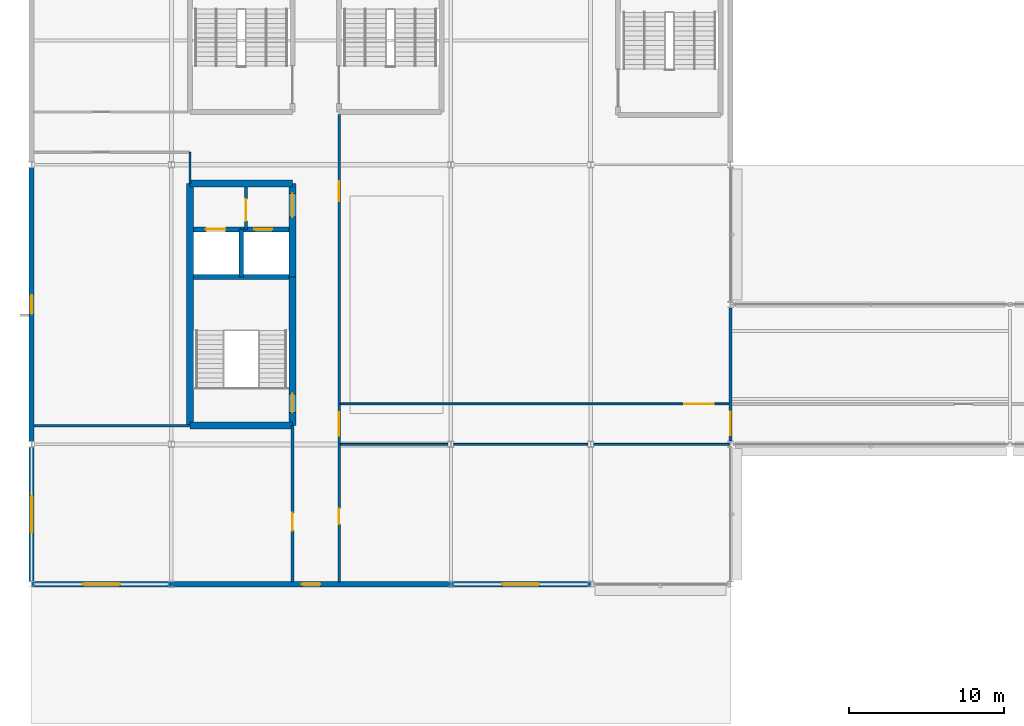
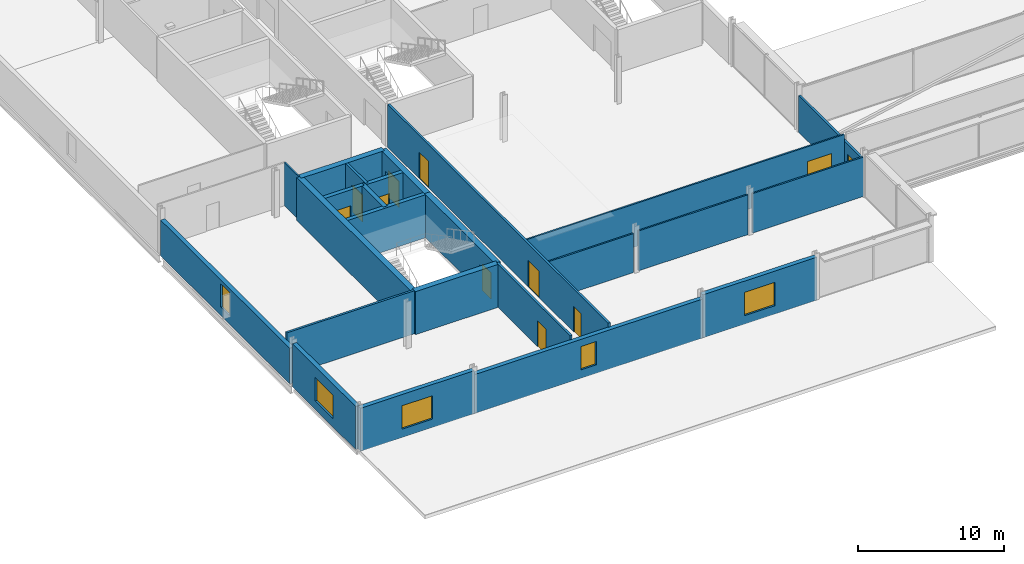
# One storey, part 60 of 105: 24 walls, 11 doors, 5 windows, 16 openings.
"""IFC4 building model written with IfcOpenShell, lengths in metres."""

from ifc_helpers import new_model, si_unit, direction, frame, frame_2d, origin, place, context, subcontext, project, spatial, rectangle, extrude, material, layer, layer_set, type_object, element, fill, save


model = new_model("IFC4")

# Units and contexts
model_context = context("Model", 3, precision=1e-05, world=origin(), true_north=direction((0.0, 1.0)))
body_context = subcontext(model_context, "Body", "Model", "MODEL_VIEW")
ifc_project = project(units=[si_unit("LENGTHUNIT", "METRE"), si_unit("AREAUNIT", "SQUARE_METRE"), si_unit("VOLUMEUNIT", "CUBIC_METRE"), si_unit("PLANEANGLEUNIT", "RADIAN"), si_unit("MASSUNIT", "GRAM", prefix="KILO")], contexts=[model_context])

# Site, building, storey
site_placement = place(None, origin())
site = spatial("IfcSite", under=ifc_project, at=site_placement, CompositionType="ELEMENT")
building_placement = place(site_placement, origin())
building = spatial("IfcBuilding", under=site, at=building_placement, Name="Kisiwana Market Hall", CompositionType="ELEMENT")
storey_placement = place(building_placement, frame((0.0, 0.0, 21.60009765625)))
storey = spatial("IfcBuildingStorey", under=building, at=storey_placement, Name="L04", CompositionType="ELEMENT", Elevation=21.60009765625)

# Wall, opening, door
ifc_material_1 = material(Name="Masonry blockwork", Category="masonry")
ifc_layer_1 = layer(ifc_material_1, 0.199951171875, Name="Plastered fire compartment block wall")
ifc_layer_set_1 = layer_set([ifc_layer_1], Name="WL-COMP-200")
wall_type_1 = type_object("IfcWallType", Name="WL-COMP-200", PredefinedType="PARTITIONING", material=ifc_layer_set_1)
wall_1_placement = place(storey_placement, frame((13.800048828125, 31.844970703125, 0.0), z_axis=(0.0, 0.0, 1.0), x_axis=(0.0, 1.0, 0.0)))
wall_1 = element("IfcWall", 1, at=wall_1_placement, inside=storey, type_object=wall_type_1, Name="Core W2 firefighting lobby wall W-1638", PredefinedType="PARTITIONING", context=body_context, shape_type="SweptSolid", body=[
    extrude(rectangle(XDim=2.72998046875, YDim=0.199951171875, at=frame_2d((1.364990234375, 0.0))), origin(), (0.0, 0.0, 1.0), 3.5849609375),
])
opening_1_placement = place(wall_1_placement, frame((0.550048828125, 0.0, 0.0)))
opening_1 = element("IfcOpeningElement", 2, at=opening_1_placement, cuts=wall_1, Name="Opening DR-L04-003", PredefinedType="OPENING", context=body_context, shape_type="SweptSolid", body=[
    extrude(rectangle(XDim=1.39990234375, YDim=2.25, at=frame_2d((0.699951171875, 1.125))), frame((0.0, 0.11181640625, 0.0), z_axis=(0.0, -1.0, 0.0), x_axis=(1.0, 0.0, 0.0)), (0.0, 0.0, 1.0), 0.223876953125),
])
ifc_material_2 = material(Name="Steel S275", Category="steel")
door_type_1 = type_object("IfcDoorType", Name="DR-FFLOB-FD120-1400", OperationType="DOUBLE_DOOR_SINGLE_SWING", PredefinedType="DOOR", material=ifc_material_2)
door_1_placement = place(opening_1_placement, frame((1.39990234375, 0.0, 0.0), z_axis=(0.0, 0.0, 1.0), x_axis=(-1.0, 0.0, 0.0)))
door_1 = element("IfcDoor", 3, at=door_1_placement, inside=storey, type_object=door_type_1, Name="Firefighting Lift Lobby W2 Door (L04)", OperationType="DOUBLE_DOOR_SINGLE_SWING", OverallHeight=2.25, OverallWidth=1.39990234375, PredefinedType="DOOR", context=body_context, shape_type="SweptSolid", body=[
    extrude(rectangle(XDim=1.39990234375, YDim=2.25, at=frame_2d((0.699951171875, 1.125))), frame((0.0, 0.02490234375, 0.0), z_axis=(0.0, -1.0, 0.0), x_axis=(1.0, 0.0, 0.0)), (0.0, 0.0, 1.0), 0.050048828125),
])
fill(opening_1, door_1)

# Walls
ifc_material_3 = material(Name="Concrete C40/50", Category="concrete")
ifc_layer_2 = layer(ifc_material_3, 0.320068359375, Name="Reinforced concrete shaft wall")
ifc_layer_set_2 = layer_set([ifc_layer_2], Name="WL-CORE-320")
wall_type_2 = type_object("IfcWallType", Name="WL-CORE-320", PredefinedType="SHEAR", material=ifc_layer_set_2)
wall_2_placement = place(storey_placement, frame((10.425048828125, 28.784912109375, 0.0), z_axis=(0.0, 0.0, 1.0), x_axis=(1.0, 0.0, 0.0)))
element("IfcWall", 4, at=wall_2_placement, inside=storey, type_object=wall_type_2, Name="Core W2 shaft back shear wall W-1519", PredefinedType="SHEAR", context=body_context, shape_type="SweptSolid", body=[
    extrude(rectangle(XDim=6.14990234375, YDim=0.320068359375, at=frame_2d((3.074951171875, 0.0))), origin(), (0.0, 0.0, 1.0), 3.5849609375),
])
wall_3_placement = place(storey_placement, frame((13.5, 28.784912109375, 0.0), z_axis=(0.0, 0.0, 1.0), x_axis=(0.0, 1.0, 0.0)))
element("IfcWall", 5, at=wall_3_placement, inside=storey, type_object=wall_type_2, Name="Core W2 inter-shaft shear wall W-1520", PredefinedType="SHEAR", context=body_context, shape_type="SweptSolid", body=[
    extrude(rectangle(XDim=3.06005859375, YDim=0.320068359375, at=frame_2d((1.530029296875, 0.0))), origin(), (0.0, 0.0, 1.0), 3.5849609375),
])

# Wall, opening, door
wall_4_placement = place(storey_placement, frame((10.425048828125, 31.844970703125, 0.0), z_axis=(0.0, 0.0, 1.0), x_axis=(1.0, 0.0, 0.0)))
wall_4 = element("IfcWall", 6, at=wall_4_placement, inside=storey, type_object=wall_type_2, Name="Core W2 west lift front wall W-1521", PredefinedType="SHEAR", context=body_context, shape_type="SweptSolid", body=[
    extrude(rectangle(XDim=3.074951171875, YDim=0.320068359375, at=frame_2d((1.53759765625, 0.0))), origin(), (0.0, 0.0, 1.0), 3.5849609375),
])
opening_2_placement = place(wall_4_placement, frame((0.800048828125, 0.0, 0.0)))
opening_2 = element("IfcOpeningElement", 7, at=opening_2_placement, cuts=wall_4, Name="Opening LD-L04-001", PredefinedType="OPENING", context=body_context, shape_type="SweptSolid", body=[
    extrude(rectangle(XDim=1.25, YDim=2.25, at=frame_2d((0.625, 1.125))), frame((0.0, 0.171875, 0.0), z_axis=(0.0, -1.0, 0.0), x_axis=(1.0, 0.0, 0.0)), (0.0, 0.0, 1.0), 0.343994140625),
])
ifc_material_4 = material(Name="Steel S275", Category="steel")
door_type_2 = type_object("IfcDoorType", Name="DR-LIFT-FFL-1250", OperationType="DOUBLE_DOOR_SLIDING", PredefinedType="DOOR", material=ifc_material_4)
door_2_placement = place(opening_2_placement, origin())
door_2 = element("IfcDoor", 8, at=door_2_placement, inside=storey, type_object=door_type_2, Name="Lift Landing Door FFL-01 (L04)", OperationType="DOUBLE_DOOR_SLIDING", OverallHeight=2.25, OverallWidth=1.25, PredefinedType="DOOR", context=body_context, shape_type="SweptSolid", body=[
    extrude(rectangle(XDim=1.25, YDim=2.25, at=frame_2d((0.625, 1.125))), frame((0.0, 0.02490234375, 0.0), z_axis=(0.0, -1.0, 0.0), x_axis=(1.0, 0.0, 0.0)), (0.0, 0.0, 1.0), 0.050048828125),
])
fill(opening_2, door_2)

wall_5_placement = place(storey_placement, frame((13.5, 31.844970703125, 0.0), z_axis=(0.0, 0.0, 1.0), x_axis=(1.0, 0.0, 0.0)))
wall_5 = element("IfcWall", 9, at=wall_5_placement, inside=storey, type_object=wall_type_2, Name="Core W2 east lift front wall W-1522", PredefinedType="SHEAR", context=body_context, shape_type="SweptSolid", body=[
    extrude(rectangle(XDim=3.074951171875, YDim=0.320068359375, at=frame_2d((1.53759765625, 0.0))), origin(), (0.0, 0.0, 1.0), 3.5849609375),
])
opening_3_placement = place(wall_5_placement, frame((0.85009765625, 0.0, 0.0)))
opening_3 = element("IfcOpeningElement", 10, at=opening_3_placement, cuts=wall_5, Name="Opening LD-L04-002", PredefinedType="OPENING", context=body_context, shape_type="SweptSolid", body=[
    extrude(rectangle(XDim=1.14990234375, YDim=2.199951171875, at=frame_2d((0.574951171875, 1.10009765625))), frame((0.0, 0.171875, 0.0), z_axis=(0.0, -1.0, 0.0), x_axis=(1.0, 0.0, 0.0)), (0.0, 0.0, 1.0), 0.343994140625),
])
ifc_material_5 = material(Name="Steel S275", Category="steel")
door_type_3 = type_object("IfcDoorType", Name="DR-LIFT-PAX-1150", OperationType="DOUBLE_DOOR_SLIDING", PredefinedType="DOOR", material=ifc_material_5)
door_3_placement = place(opening_3_placement, origin())
door_3 = element("IfcDoor", 11, at=door_3_placement, inside=storey, type_object=door_type_3, Name="Lift Landing Door LP-01 (L04)", OperationType="DOUBLE_DOOR_SLIDING", OverallHeight=2.199951171875, OverallWidth=1.14990234375, PredefinedType="DOOR", context=body_context, shape_type="SweptSolid", body=[
    extrude(rectangle(XDim=1.14990234375, YDim=2.199951171875, at=frame_2d((0.574951171875, 1.10009765625))), frame((0.0, 0.02490234375, 0.0), z_axis=(0.0, -1.0, 0.0), x_axis=(1.0, 0.0, 0.0)), (0.0, 0.0, 1.0), 0.050048828125),
])
fill(opening_3, door_3)

# Walls
ifc_material_6 = material(Name="Concrete C40/50", Category="concrete")
ifc_layer_3 = layer(ifc_material_6, 0.449951171875, Name="Reinforced concrete core wall")
ifc_layer_set_3 = layer_set([ifc_layer_3], Name="WL-CORE-450")
wall_type_3 = type_object("IfcWallType", Name="WL-CORE-450", PredefinedType="SHEAR", material=ifc_layer_set_3)
for number, where, z_axis, x_axis, name in (
    (12, (10.199951171875, 19.199951171875, 0.0), (0.0, 0.0, 1.0), (1.0, 0.0, 0.0), "Core W2 south shear wall W-1514"),
    (13, (10.199951171875, 34.800048828125, 0.0), (0.0, 0.0, 1.0), (1.0, 0.0, 0.0), "Core W2 north shear wall W-1515"),
):
    element("IfcWall", number, at=place(storey_placement, frame(where, z_axis=z_axis, x_axis=x_axis)), inside=storey, type_object=wall_type_3, Name=name, PredefinedType="SHEAR", context=body_context, shape_type="SweptSolid", body=[
        extrude(rectangle(XDim=6.60009765625, YDim=0.449951171875, at=frame_2d((3.300048828125, 0.0))), origin(), (0.0, 0.0, 1.0), 3.5849609375),
    ])
wall_6_placement = place(storey_placement, frame((10.199951171875, 19.199951171875, 0.0), z_axis=(0.0, 0.0, 1.0), x_axis=(0.0, 1.0, 0.0)))
element("IfcWall", 14, at=wall_6_placement, inside=storey, type_object=wall_type_3, Name="Core W2 outer shear wall W-1516", PredefinedType="SHEAR", context=body_context, shape_type="SweptSolid", body=[
    extrude(rectangle(XDim=15.60009765625, YDim=0.449951171875, at=frame_2d((7.800048828125, 0.0))), origin(), (0.0, 0.0, 1.0), 3.5849609375),
])

# Wall, opening, door
wall_7_placement = place(storey_placement, frame((16.800048828125, 19.199951171875, 0.0), z_axis=(0.0, 0.0, 1.0), x_axis=(0.0, 1.0, 0.0)))
wall_7 = element("IfcWall", 15, at=wall_7_placement, inside=storey, type_object=wall_type_3, Name="Core W2 stair corridor shear wall W-1517", PredefinedType="SHEAR", context=body_context, shape_type="SweptSolid", body=[
    extrude(rectangle(XDim=9.5849609375, YDim=0.449951171875, at=frame_2d((4.79248046875, 0.0))), origin(), (0.0, 0.0, 1.0), 3.5849609375),
])
opening_4_placement = place(wall_7_placement, frame((0.85009765625, 0.0, 0.0)))
opening_4 = element("IfcOpeningElement", 16, at=opening_4_placement, cuts=wall_7, Name="Opening DR-L04-001", PredefinedType="OPENING", context=body_context, shape_type="SweptSolid", body=[
    extrude(rectangle(XDim=1.199951171875, YDim=2.199951171875, at=frame_2d((0.60009765625, 1.10009765625))), frame((0.0, 0.23681640625, 0.0), z_axis=(0.0, -1.0, 0.0), x_axis=(1.0, 0.0, 0.0)), (0.0, 0.0, 1.0), 0.473876953125),
])
ifc_material_7 = material(Name="Steel S275", Category="steel")
door_type_4 = type_object("IfcDoorType", Name="DR-STAIR-FD120-1200", OperationType="NOTDEFINED", PredefinedType="DOOR", material=ifc_material_7)
door_4_placement = place(opening_4_placement, origin())
door_4 = element("IfcDoor", 17, at=door_4_placement, inside=storey, type_object=door_type_4, Name="Escape Stair W2 Fire Door (L04)", OperationType="SINGLE_SWING_LEFT", OverallHeight=2.199951171875, OverallWidth=1.199951171875, PredefinedType="DOOR", context=body_context, shape_type="SweptSolid", body=[
    extrude(rectangle(XDim=1.199951171875, YDim=2.199951171875, at=frame_2d((0.60009765625, 1.10009765625))), frame((0.0, 0.02490234375, 0.0), z_axis=(0.0, -1.0, 0.0), x_axis=(1.0, 0.0, 0.0)), (0.0, 0.0, 1.0), 0.050048828125),
])
fill(opening_4, door_4)

wall_8_placement = place(storey_placement, frame((16.800048828125, 28.784912109375, 0.0), z_axis=(0.0, 0.0, 1.0), x_axis=(0.0, 1.0, 0.0)))
wall_8 = element("IfcWall", 18, at=wall_8_placement, inside=storey, type_object=wall_type_3, Name="Core W2 lobby corridor shear wall W-1518", PredefinedType="SHEAR", context=body_context, shape_type="SweptSolid", body=[
    extrude(rectangle(XDim=6.01513671875, YDim=0.449951171875, at=frame_2d((3.007568359375, 0.0))), origin(), (0.0, 0.0, 1.0), 3.5849609375),
])
opening_5_placement = place(wall_8_placement, frame((3.85009765625, 0.0, 0.0)))
opening_5 = element("IfcOpeningElement", 19, at=opening_5_placement, cuts=wall_8, Name="Opening DR-L04-002", PredefinedType="OPENING", context=body_context, shape_type="SweptSolid", body=[
    extrude(rectangle(XDim=1.5, YDim=2.199951171875, at=frame_2d((0.75, 1.10009765625))), frame((0.0, 0.23681640625, 0.0), z_axis=(0.0, -1.0, 0.0), x_axis=(1.0, 0.0, 0.0)), (0.0, 0.0, 1.0), 0.473876953125),
])
ifc_material_8 = material(Name="Steel S275", Category="steel")
door_type_5 = type_object("IfcDoorType", Name="DR-CORR-FD60-1500", OperationType="DOUBLE_DOOR_SINGLE_SWING", PredefinedType="DOOR", material=ifc_material_8)
door_5_placement = place(opening_5_placement, frame((1.5, 0.0, 0.0), z_axis=(0.0, 0.0, 1.0), x_axis=(-1.0, 0.0, 0.0)))
door_5 = element("IfcDoor", 20, at=door_5_placement, inside=storey, type_object=door_type_5, Name="Passenger Lift Lobby W2 Smoke Door (L04)", OperationType="DOUBLE_DOOR_SINGLE_SWING", OverallHeight=2.199951171875, OverallWidth=1.5, PredefinedType="DOOR", context=body_context, shape_type="SweptSolid", body=[
    extrude(rectangle(XDim=1.5, YDim=2.199951171875, at=frame_2d((0.75, 1.10009765625))), frame((0.0, 0.02490234375, 0.0), z_axis=(0.0, -1.0, 0.0), x_axis=(1.0, 0.0, 0.0)), (0.0, 0.0, 1.0), 0.050048828125),
])
fill(opening_5, door_5)

# Wall
ifc_material_9 = material(Name="Masonry blockwork", Category="masonry")
ifc_layer_4 = layer(ifc_material_9, 0.169921875, Name="Protected corridor partition")
ifc_layer_set_4 = layer_set([ifc_layer_4], Name="WL-CORR-170")
wall_type_4 = type_object("IfcWallType", Name="WL-CORR-170", PredefinedType="PARTITIONING", material=ifc_layer_set_4)
wall_9_placement = place(storey_placement, frame((0.14501953125, 19.199951171875, 0.0), z_axis=(0.0, 0.0, 1.0), x_axis=(1.0, 0.0, 0.0)))
element("IfcWall", 21, at=wall_9_placement, inside=storey, type_object=wall_type_4, Name="Interior partition W-1648", PredefinedType="PARTITIONING", context=body_context, shape_type="SweptSolid", body=[
    extrude(rectangle(XDim=10.054931640625, YDim=0.169921875, at=frame_2d((5.02734375, 0.0))), origin(), (0.0, 0.0, 1.0), 3.5849609375),
])

# Wall, opening, door
wall_10_placement = place(storey_placement, frame((16.800048828125, 9.14501953125, 0.0), z_axis=(0.0, 0.0, 1.0), x_axis=(0.0, 1.0, 0.0)))
wall_10 = element("IfcWall", 22, at=wall_10_placement, inside=storey, type_object=wall_type_4, Name="Interior partition W-1654", PredefinedType="PARTITIONING", context=body_context, shape_type="SweptSolid", body=[
    extrude(rectangle(XDim=10.054931640625, YDim=0.169921875, at=frame_2d((5.02734375, 0.0))), origin(), (0.0, 0.0, 1.0), 3.5849609375),
])
opening_6_placement = place(wall_10_placement, frame((3.300048828125, 0.0, 0.0)))
opening_6 = element("IfcOpeningElement", 23, at=opening_6_placement, cuts=wall_10, Name="Opening DR-L04-033", PredefinedType="OPENING", context=body_context, shape_type="SweptSolid", body=[
    extrude(rectangle(XDim=1.14990234375, YDim=2.14990234375, at=frame_2d((0.574951171875, 1.074951171875))), frame((0.0, 0.096923828125, 0.0), z_axis=(0.0, -1.0, 0.0), x_axis=(1.0, 0.0, 0.0)), (0.0, 0.0, 1.0), 0.19384765625),
])
ifc_material_10 = material(Name="Aluminium alloy 6063-T6", Category="aluminium")
door_type_6 = type_object("IfcDoorType", Name="DR-MEET-1150", OperationType="NOTDEFINED", PredefinedType="DOOR", material=ifc_material_10)
door_6_placement = place(opening_6_placement, origin())
door_6 = element("IfcDoor", 24, at=door_6_placement, inside=storey, type_object=door_type_6, Name="L04 W Corner Office Suite South Door", OperationType="SINGLE_SWING_LEFT", OverallHeight=2.14990234375, OverallWidth=1.14990234375, PredefinedType="DOOR", context=body_context, shape_type="SweptSolid", body=[
    extrude(rectangle(XDim=1.14990234375, YDim=2.14990234375, at=frame_2d((0.574951171875, 1.074951171875))), frame((0.0, 0.02490234375, 0.0), z_axis=(0.0, -1.0, 0.0), x_axis=(1.0, 0.0, 0.0)), (0.0, 0.0, 1.0), 0.050048828125),
])
fill(opening_6, door_6)

# Wall, openings, doors
wall_11_placement = place(storey_placement, frame((19.800048828125, 9.14501953125, 0.0), z_axis=(0.0, 0.0, 1.0), x_axis=(0.0, 1.0, 0.0)))
wall_11 = element("IfcWall", 25, at=wall_11_placement, inside=storey, type_object=wall_type_4, Name="Interior partition W-1666", PredefinedType="PARTITIONING", context=body_context, shape_type="SweptSolid", body=[
    extrude(rectangle(XDim=30.094970703125, YDim=0.169921875, at=frame_2d((15.04736328125, 0.0))), origin(), (0.0, 0.0, 1.0), 3.5849609375),
])
opening_7_placement = place(wall_11_placement, frame((3.715087890625, 0.0, 0.0)))
opening_7 = element("IfcOpeningElement", 26, at=opening_7_placement, cuts=wall_11, Name="Opening DR-L04-037", PredefinedType="OPENING", context=body_context, shape_type="SweptSolid", body=[
    extrude(rectangle(XDim=1.0, YDim=2.14990234375, at=frame_2d((0.5, 1.074951171875))), frame((0.0, 0.096923828125, 0.0), z_axis=(0.0, -1.0, 0.0), x_axis=(1.0, 0.0, 0.0)), (0.0, 0.0, 1.0), 0.19384765625),
])
opening_8_placement = place(wall_11_placement, frame((9.405029296875, 0.0, 0.0)))
opening_8 = element("IfcOpeningElement", 27, at=opening_8_placement, cuts=wall_11, Name="Opening DR-L04-038", PredefinedType="OPENING", context=body_context, shape_type="SweptSolid", body=[
    extrude(rectangle(XDim=1.5, YDim=2.199951171875, at=frame_2d((0.75, 1.10009765625))), frame((0.0, 0.096923828125, 0.0), z_axis=(0.0, -1.0, 0.0), x_axis=(1.0, 0.0, 0.0)), (0.0, 0.0, 1.0), 0.19384765625),
])
opening_9_placement = place(wall_11_placement, frame((24.514892578125, 0.0, 0.0)))
opening_9 = element("IfcOpeningElement", 28, at=opening_9_placement, cuts=wall_11, Name="Opening DR-L04-039", PredefinedType="OPENING", context=body_context, shape_type="SweptSolid", body=[
    extrude(rectangle(XDim=1.280029296875, YDim=2.199951171875, at=frame_2d((0.64013671875, 1.10009765625))), frame((0.0, 0.096923828125, 0.0), z_axis=(0.0, -1.0, 0.0), x_axis=(1.0, 0.0, 0.0)), (0.0, 0.0, 1.0), 0.19384765625),
])
door_7_placement = place(opening_8_placement, origin())
door_7 = element("IfcDoor", 29, at=door_7_placement, inside=storey, type_object=door_type_5, Name="L04 W South Skybridge Link Corridor Door", OperationType="DOUBLE_DOOR_SINGLE_SWING", OverallHeight=2.199951171875, OverallWidth=1.5, PredefinedType="DOOR", context=body_context, shape_type="SweptSolid", body=[
    extrude(rectangle(XDim=1.5, YDim=2.199951171875, at=frame_2d((0.75, 1.10009765625))), frame((0.0, 0.02490234375, 0.0), z_axis=(0.0, -1.0, 0.0), x_axis=(1.0, 0.0, 0.0)), (0.0, 0.0, 1.0), 0.050048828125),
])
fill(opening_8, door_7)
ifc_material_11 = material(Name="Hardwood timber", Category="wood")
door_type_7 = type_object("IfcDoorType", Name="DR-MEET-1280", OperationType="NOTDEFINED", PredefinedType="DOOR", material=ifc_material_11)
door_8_placement = place(opening_9_placement, frame((1.280029296875, 0.0, 0.0), z_axis=(0.0, 0.0, 1.0), x_axis=(-1.0, 0.0, 0.0)))
door_8 = element("IfcDoor", 30, at=door_8_placement, inside=storey, type_object=door_type_7, Name="L04 W Meeting Room A2 Door", OperationType="SINGLE_SWING_LEFT", OverallHeight=2.199951171875, OverallWidth=1.280029296875, PredefinedType="DOOR", context=body_context, shape_type="SweptSolid", body=[
    extrude(rectangle(XDim=1.280029296875, YDim=2.199951171875, at=frame_2d((0.64013671875, 1.10009765625))), frame((0.0, 0.02490234375, 0.0), z_axis=(0.0, -1.0, 0.0), x_axis=(1.0, 0.0, 0.0)), (0.0, 0.0, 1.0), 0.050048828125),
])
fill(opening_9, door_8)
ifc_material_12 = material(Name="Aluminium alloy 6063-T6", Category="aluminium")
door_type_8 = type_object("IfcDoorType", Name="DR-OFF-1000", OperationType="NOTDEFINED", PredefinedType="DOOR", material=ifc_material_12)
door_9_placement = place(opening_7_placement, frame((1.0, 0.0, 0.0), z_axis=(0.0, 0.0, 1.0), x_axis=(-1.0, 0.0, 0.0)))
door_9 = element("IfcDoor", 31, at=door_9_placement, inside=storey, type_object=door_type_8, Name="L04 W Commercial Office A1 Door", OperationType="SINGLE_SWING_RIGHT", OverallHeight=2.14990234375, OverallWidth=1.0, PredefinedType="DOOR", context=body_context, shape_type="SweptSolid", body=[
    extrude(rectangle(XDim=1.0, YDim=2.14990234375, at=frame_2d((0.5, 1.074951171875))), frame((0.0, 0.02490234375, 0.0), z_axis=(0.0, -1.0, 0.0), x_axis=(1.0, 0.0, 0.0)), (0.0, 0.0, 1.0), 0.050048828125),
])
fill(opening_7, door_9)

# Wall, opening, door
wall_12_placement = place(storey_placement, frame((45.0, 18.219970703125, 0.0), z_axis=(0.0, 0.0, 1.0), x_axis=(0.0, 1.0, 0.0)))
wall_12 = element("IfcWall", 32, at=wall_12_placement, inside=storey, type_object=wall_type_4, Name="Interior partition W-1668", PredefinedType="PARTITIONING", context=body_context, shape_type="SweptSolid", body=[
    extrude(rectangle(XDim=8.56005859375, YDim=0.169921875, at=frame_2d((4.280029296875, 0.0))), origin(), (0.0, 0.0, 1.0), 3.0517578125),
])
opening_10_placement = place(wall_12_placement, frame((0.3798828125, 0.0, 0.0)))
opening_10 = element("IfcOpeningElement", 33, at=opening_10_placement, cuts=wall_12, Name="Opening DR-L04-044", PredefinedType="OPENING", context=body_context, shape_type="SweptSolid", body=[
    extrude(rectangle(XDim=1.5, YDim=2.199951171875, at=frame_2d((0.75, 1.10009765625))), frame((0.0, 0.096923828125, 0.0), z_axis=(0.0, -1.0, 0.0), x_axis=(1.0, 0.0, 0.0)), (0.0, 0.0, 1.0), 0.19384765625),
])
door_10_placement = place(opening_10_placement, origin())
door_10 = element("IfcDoor", 34, at=door_10_placement, inside=storey, type_object=door_type_5, Name="L04 W South Skybridge Spine Door", OperationType="DOUBLE_DOOR_SINGLE_SWING", OverallHeight=2.199951171875, OverallWidth=1.5, PredefinedType="DOOR", context=body_context, shape_type="SweptSolid", body=[
    extrude(rectangle(XDim=1.5, YDim=2.199951171875, at=frame_2d((0.75, 1.10009765625))), frame((0.0, 0.02490234375, 0.0), z_axis=(0.0, -1.0, 0.0), x_axis=(1.0, 0.0, 0.0)), (0.0, 0.0, 1.0), 0.050048828125),
])
fill(opening_10, door_10)

# Wall, opening, window
ifc_material_13 = material(Name="Concrete C40/50 precast", Category="concrete")
ifc_layer_5 = layer(ifc_material_13, 0.14990234375, Name="Precast architectural concrete spandrel")
ifc_material_14 = material(Name="Mineral wool insulation")
ifc_layer_6 = layer(ifc_material_14, 0.090087890625, Name="Rockwool thermal insulation")
ifc_material_15 = material(Name="Masonry blockwork", Category="masonry")
ifc_layer_7 = layer(ifc_material_15, 0.10009765625, Name="Inner masonry block leaf")
ifc_layer_set_5 = layer_set([ifc_layer_5, ifc_layer_6, ifc_layer_7], Name="WL-EXT-PREC-340")
wall_type_5 = type_object("IfcWallType", Name="WL-EXT-PREC-340", PredefinedType="STANDARD", material=ifc_layer_set_5)
wall_13_placement = place(storey_placement, frame((0.010009765625, 9.0, 0.0), z_axis=(0.0, 0.0, 1.0), x_axis=(1.0, 0.0, 0.0)))
wall_13 = element("IfcWall", 35, at=wall_13_placement, inside=storey, type_object=wall_type_5, Name="Exterior wall W-1614", PredefinedType="STANDARD", context=body_context, shape_type="SweptSolid", body=[
    extrude(rectangle(XDim=8.97998046875, YDim=0.340087890625, at=frame_2d((4.489990234375, 0.0))), origin(), (0.0, 0.0, 1.0), 3.5849609375),
])
opening_11_placement = place(wall_13_placement, frame((3.2900390625, 0.0, 0.699951171875)))
opening_11 = element("IfcOpeningElement", 36, at=opening_11_placement, cuts=wall_13, Name="Opening WN-27", PredefinedType="OPENING", context=body_context, shape_type="SweptSolid", body=[
    extrude(rectangle(XDim=2.39990234375, YDim=1.949951171875, at=frame_2d((1.199951171875, 0.97509765625))), frame((0.0, 0.18212890625, 0.0), z_axis=(0.0, -1.0, 0.0), x_axis=(1.0, 0.0, 0.0)), (0.0, 0.0, 1.0), 0.364013671875),
])
ifc_material_16 = material(Name="Double-glazed solar-control low-E IGU", Category="glass")
window_type_1 = type_object("IfcWindowType", Name="WN-OFFA-2400x1950", PartitioningType="SINGLE_PANEL", PredefinedType="WINDOW", material=ifc_material_16)
window_1_placement = place(opening_11_placement, origin())
window_1 = element("IfcWindow", 37, at=window_1_placement, inside=storey, type_object=window_type_1, Name="Exterior window WN-159", OverallHeight=1.949951171875, OverallWidth=2.39990234375, PartitioningType="SINGLE_PANEL", PredefinedType="WINDOW", context=body_context, shape_type="SweptSolid", body=[
    extrude(rectangle(XDim=2.39990234375, YDim=1.949951171875, at=frame_2d((1.199951171875, 0.97509765625))), frame((0.0, 0.030029296875, 0.0), z_axis=(0.0, -1.0, 0.0), x_axis=(1.0, 0.0, 0.0)), (0.0, 0.0, 1.0), 0.06005859375),
])
fill(opening_11, window_1)

wall_14_placement = place(storey_placement, frame((9.010009765625, 9.0, 0.0), z_axis=(0.0, 0.0, 1.0), x_axis=(1.0, 0.0, 0.0)))
wall_14 = element("IfcWall", 38, at=wall_14_placement, inside=storey, type_object=wall_type_5, Name="Exterior wall W-1615", PredefinedType="STANDARD", context=body_context, shape_type="SweptSolid", body=[
    extrude(rectangle(XDim=17.97998046875, YDim=0.340087890625, at=frame_2d((8.989990234375, 0.0))), origin(), (0.0, 0.0, 1.0), 3.2451171875),
])
opening_12_placement = place(wall_14_placement, frame((8.389892578125, 0.0, 0.699951171875)))
opening_12 = element("IfcOpeningElement", 39, at=opening_12_placement, cuts=wall_14, Name="Opening WN-15", PredefinedType="OPENING", context=body_context, shape_type="SweptSolid", body=[
    extrude(rectangle(XDim=1.199951171875, YDim=1.949951171875, at=frame_2d((0.60009765625, 0.97509765625))), frame((0.0, 0.18212890625, 0.0), z_axis=(0.0, -1.0, 0.0), x_axis=(1.0, 0.0, 0.0)), (0.0, 0.0, 1.0), 0.364013671875),
])
ifc_material_17 = material(Name="Double-glazed solar-control low-E IGU", Category="glass")
window_type_2 = type_object("IfcWindowType", Name="WN-OFFA-1200x1950", PartitioningType="SINGLE_PANEL", PredefinedType="WINDOW", material=ifc_material_17)
window_2_placement = place(opening_12_placement, origin())
window_2 = element("IfcWindow", 40, at=window_2_placement, inside=storey, type_object=window_type_2, Name="Exterior window WN-143", OverallHeight=1.949951171875, OverallWidth=1.199951171875, PartitioningType="SINGLE_PANEL", PredefinedType="WINDOW", context=body_context, shape_type="SweptSolid", body=[
    extrude(rectangle(XDim=1.199951171875, YDim=1.949951171875, at=frame_2d((0.60009765625, 0.97509765625))), frame((0.0, 0.030029296875, 0.0), z_axis=(0.0, -1.0, 0.0), x_axis=(1.0, 0.0, 0.0)), (0.0, 0.0, 1.0), 0.06005859375),
])
fill(opening_12, window_2)

wall_15_placement = place(storey_placement, frame((27.010009765625, 9.0, 0.0), z_axis=(0.0, 0.0, 1.0), x_axis=(1.0, 0.0, 0.0)))
wall_15 = element("IfcWall", 41, at=wall_15_placement, inside=storey, type_object=wall_type_5, Name="Exterior wall W-1616", PredefinedType="STANDARD", context=body_context, shape_type="SweptSolid", body=[
    extrude(rectangle(XDim=8.97998046875, YDim=0.340087890625, at=frame_2d((4.489990234375, 0.0))), origin(), (0.0, 0.0, 1.0), 3.5849609375),
])
opening_13_placement = place(wall_15_placement, frame((3.2900390625, 0.0, 0.699951171875)))
opening_13 = element("IfcOpeningElement", 42, at=opening_13_placement, cuts=wall_15, Name="Opening WN-27", PredefinedType="OPENING", context=body_context, shape_type="SweptSolid", body=[
    extrude(rectangle(XDim=2.39990234375, YDim=1.949951171875, at=frame_2d((1.199951171875, 0.97509765625))), frame((0.0, 0.18212890625, 0.0), z_axis=(0.0, -1.0, 0.0), x_axis=(1.0, 0.0, 0.0)), (0.0, 0.0, 1.0), 0.364013671875),
])
window_3_placement = place(opening_13_placement, origin())
window_3 = element("IfcWindow", 43, at=window_3_placement, inside=storey, type_object=window_type_1, Name="Exterior window WN-160", OverallHeight=1.949951171875, OverallWidth=2.39990234375, PartitioningType="SINGLE_PANEL", PredefinedType="WINDOW", context=body_context, shape_type="SweptSolid", body=[
    extrude(rectangle(XDim=2.39990234375, YDim=1.949951171875, at=frame_2d((1.199951171875, 0.97509765625))), frame((0.0, 0.030029296875, 0.0), z_axis=(0.0, -1.0, 0.0), x_axis=(1.0, 0.0, 0.0)), (0.0, 0.0, 1.0), 0.06005859375),
])
fill(opening_13, window_3)

wall_16_placement = place(storey_placement, frame((0.0, 9.18212890625, 0.0), z_axis=(0.0, 0.0, 1.0), x_axis=(0.0, 1.0, 0.0)))
wall_16 = element("IfcWall", 44, at=wall_16_placement, inside=storey, type_object=wall_type_5, Name="Exterior wall W-1624", PredefinedType="STANDARD", context=body_context, shape_type="SweptSolid", body=[
    extrude(rectangle(XDim=8.6357421875, YDim=0.340087890625, at=frame_2d((4.31787109375, 0.0))), origin(), (0.0, 0.0, 1.0), 3.5849609375),
])
opening_14_placement = place(wall_16_placement, frame((3.117919921875, 0.0, 0.699951171875)))
opening_14 = element("IfcOpeningElement", 45, at=opening_14_placement, cuts=wall_16, Name="Opening WN-27", PredefinedType="OPENING", context=body_context, shape_type="SweptSolid", body=[
    extrude(rectangle(XDim=2.39990234375, YDim=1.949951171875, at=frame_2d((1.199951171875, 0.97509765625))), frame((0.0, 0.18212890625, 0.0), z_axis=(0.0, -1.0, 0.0), x_axis=(1.0, 0.0, 0.0)), (0.0, 0.0, 1.0), 0.364013671875),
])
window_4_placement = place(opening_14_placement, origin())
window_4 = element("IfcWindow", 46, at=window_4_placement, inside=storey, type_object=window_type_1, Name="Exterior window WN-165", OverallHeight=1.949951171875, OverallWidth=2.39990234375, PartitioningType="SINGLE_PANEL", PredefinedType="WINDOW", context=body_context, shape_type="SweptSolid", body=[
    extrude(rectangle(XDim=2.39990234375, YDim=1.949951171875, at=frame_2d((1.199951171875, 0.97509765625))), frame((0.0, 0.030029296875, 0.0), z_axis=(0.0, -1.0, 0.0), x_axis=(1.0, 0.0, 0.0)), (0.0, 0.0, 1.0), 0.06005859375),
])
fill(opening_14, window_4)

wall_17_placement = place(storey_placement, frame((0.0, 18.18212890625, 0.0), z_axis=(0.0, 0.0, 1.0), x_axis=(0.0, 1.0, 0.0)))
wall_17 = element("IfcWall", 47, at=wall_17_placement, inside=storey, type_object=wall_type_5, Name="Exterior wall W-1625", PredefinedType="STANDARD", context=body_context, shape_type="SweptSolid", body=[
    extrude(rectangle(XDim=17.6357421875, YDim=0.340087890625, at=frame_2d((8.81787109375, 0.0))), origin(), (0.0, 0.0, 1.0), 2.97265625),
])
opening_15_placement = place(wall_17_placement, frame((8.2177734375, 0.0, 0.699951171875)))
opening_15 = element("IfcOpeningElement", 48, at=opening_15_placement, cuts=wall_17, Name="Opening WN-15", PredefinedType="OPENING", context=body_context, shape_type="SweptSolid", body=[
    extrude(rectangle(XDim=1.199951171875, YDim=1.949951171875, at=frame_2d((0.60009765625, 0.97509765625))), frame((0.0, 0.18212890625, 0.0), z_axis=(0.0, -1.0, 0.0), x_axis=(1.0, 0.0, 0.0)), (0.0, 0.0, 1.0), 0.364013671875),
])
window_5_placement = place(opening_15_placement, origin())
window_5 = element("IfcWindow", 49, at=window_5_placement, inside=storey, type_object=window_type_2, Name="Exterior window WN-147", OverallHeight=1.949951171875, OverallWidth=1.199951171875, PartitioningType="SINGLE_PANEL", PredefinedType="WINDOW", context=body_context, shape_type="SweptSolid", body=[
    extrude(rectangle(XDim=1.199951171875, YDim=1.949951171875, at=frame_2d((0.60009765625, 0.97509765625))), frame((0.0, 0.030029296875, 0.0), z_axis=(0.0, -1.0, 0.0), x_axis=(1.0, 0.0, 0.0)), (0.0, 0.0, 1.0), 0.06005859375),
])
fill(opening_15, window_5)

# Walls
ifc_material_18 = material(Name="Gypsum plasterboard")
ifc_layer_8 = layer(ifc_material_18, 0.125, Name="Double gypsum board + acoustic stud")
ifc_layer_set_6 = layer_set([ifc_layer_8], Name="WL-OFF-125")
wall_type_6 = type_object("IfcWallType", Name="WL-OFF-125", PredefinedType="PARTITIONING", material=ifc_layer_set_6)
wall_18_placement = place(storey_placement, frame((19.885009765625, 18.0, 0.0), z_axis=(0.0, 0.0, 1.0), x_axis=(1.0, 0.0, 0.0)))
element("IfcWall", 50, at=wall_18_placement, inside=storey, type_object=wall_type_6, Name="Interior partition W-1656", PredefinedType="PARTITIONING", context=body_context, shape_type="SweptSolid", body=[
    extrude(rectangle(XDim=6.924560546875, YDim=0.125, at=frame_2d((3.46240234375, 0.0))), origin(), (0.0, 0.0, 1.0), 3.2451171875),
])
wall_19_placement = place(storey_placement, frame((27.1904296875, 18.0, 0.0), z_axis=(0.0, 0.0, 1.0), x_axis=(1.0, 0.0, 0.0)))
element("IfcWall", 51, at=wall_19_placement, inside=storey, type_object=wall_type_6, Name="Interior partition W-1657", PredefinedType="PARTITIONING", context=body_context, shape_type="SweptSolid", body=[
    extrude(rectangle(XDim=8.62548828125, YDim=0.125, at=frame_2d((4.312744140625, 0.0))), origin(), (0.0, 0.0, 1.0), 3.324462890625),
])
wall_20_placement = place(storey_placement, frame((36.18408203125, 18.0, 0.0), z_axis=(0.0, 0.0, 1.0), x_axis=(1.0, 0.0, 0.0)))
element("IfcWall", 52, at=wall_20_placement, inside=storey, type_object=wall_type_6, Name="Interior partition W-1658", PredefinedType="PARTITIONING", context=body_context, shape_type="SweptSolid", body=[
    extrude(rectangle(XDim=8.73095703125, YDim=0.125, at=frame_2d((4.365478515625, 0.0))), origin(), (0.0, 0.0, 1.0), 3.284912109375),
])

# Wall, opening, door
wall_21_placement = place(storey_placement, frame((19.885009765625, 20.60009765625, 0.0), z_axis=(0.0, 0.0, 1.0), x_axis=(1.0, 0.0, 0.0)))
wall_21 = element("IfcWall", 53, at=wall_21_placement, inside=storey, type_object=wall_type_6, Name="Interior partition W-1659", PredefinedType="PARTITIONING", context=body_context, shape_type="SweptSolid", body=[
    extrude(rectangle(XDim=25.030029296875, YDim=0.125, at=frame_2d((12.51513671875, 0.0))), origin(), (0.0, 0.0, 1.0), 3.5849609375),
])
opening_16_placement = place(wall_21_placement, frame((22.135009765625, 0.0, 0.0)))
opening_16 = element("IfcOpeningElement", 54, at=opening_16_placement, cuts=wall_21, Name="Opening DR-L04-035", PredefinedType="OPENING", context=body_context, shape_type="SweptSolid", body=[
    extrude(rectangle(XDim=1.89990234375, YDim=2.35009765625, at=frame_2d((0.949951171875, 1.175048828125))), frame((0.0, 0.074462890625, 0.0), z_axis=(0.0, -1.0, 0.0), x_axis=(1.0, 0.0, 0.0)), (0.0, 0.0, 1.0), 0.14892578125),
])
ifc_material_19 = material(Name="Steel S275", Category="steel")
door_type_9 = type_object("IfcDoorType", Name="DR-HALL-1900", OperationType="DOUBLE_DOOR_SINGLE_SWING", PredefinedType="DOOR", material=ifc_material_19)
door_11_placement = place(opening_16_placement, origin())
door_11 = element("IfcDoor", 55, at=door_11_placement, inside=storey, type_object=door_type_9, Name="L04 W Meeting Room A2 Exit Door", OperationType="DOUBLE_DOOR_SINGLE_SWING", OverallHeight=2.35009765625, OverallWidth=1.89990234375, PredefinedType="DOOR", context=body_context, shape_type="SweptSolid", body=[
    extrude(rectangle(XDim=1.89990234375, YDim=2.35009765625, at=frame_2d((0.949951171875, 1.175048828125))), frame((0.0, 0.02490234375, 0.0), z_axis=(0.0, -1.0, 0.0), x_axis=(1.0, 0.0, 0.0)), (0.0, 0.0, 1.0), 0.050048828125),
])
fill(opening_16, door_11)

# Wall
ifc_material_20 = material(Name="Masonry blockwork", Category="masonry")
ifc_layer_9 = layer(ifc_material_20, 0.110107421875)
ifc_layer_set_7 = layer_set([ifc_layer_9], Name="WL-PART-110")
wall_type_7 = type_object("IfcWallType", Name="WL-PART-110", PredefinedType="PARTITIONING", material=ifc_layer_set_7)
wall_22_placement = place(storey_placement, frame((10.199951171875, 34.800048828125, 0.0), z_axis=(0.0, 0.0, 1.0), x_axis=(0.0, 1.0, 0.0)))
element("IfcWall", 56, at=wall_22_placement, inside=storey, type_object=wall_type_7, Name="Interior partition W-1646", PredefinedType="PARTITIONING", context=body_context, shape_type="SweptSolid", body=[
    extrude(rectangle(XDim=2.0, YDim=0.110107421875, at=frame_2d((1.0, 0.0))), origin(), (0.0, 0.0, 1.0), 3.5849609375),
])

save(model, "model.ifc")
